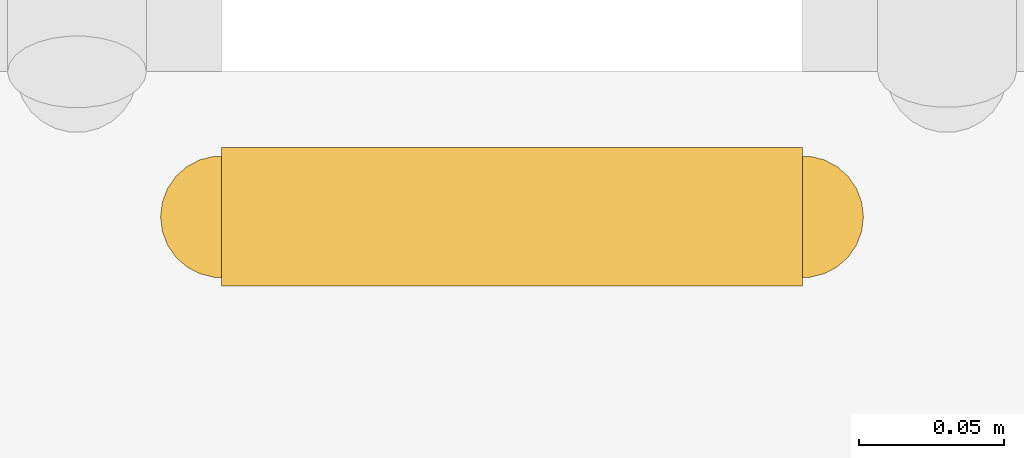
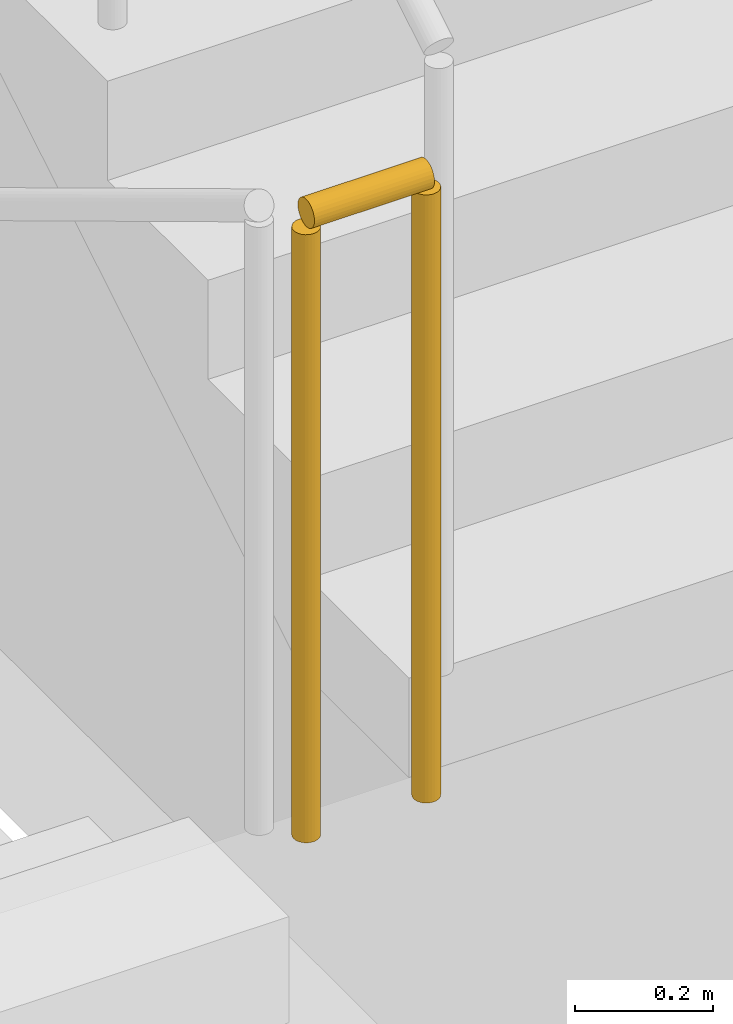
# One storey, part 77 of 85: 1 railing.
"""IFC4 building model written with IfcOpenShell, lengths in metres."""

from ifc_helpers import new_model, si_unit, derived_unit, direction, frame, origin, origin_2d, place, context, subcontext, project, spatial, circle, extrude, material, type_object, element, save


model = new_model("IFC4")

# Units and contexts
model_context = context("Model", 3, precision=1e-05, world=origin(), true_north=direction((0.0, 1.0)))
body_context = subcontext(model_context, "Body", "Model", "MODEL_VIEW")
ifc_project = project(units=[si_unit("LENGTHUNIT", "METRE"), si_unit("AREAUNIT", "SQUARE_METRE"), si_unit("VOLUMEUNIT", "CUBIC_METRE"), si_unit("PLANEANGLEUNIT", "RADIAN"), si_unit("MASSUNIT", "GRAM", prefix="KILO"), derived_unit("THERMALTRANSMITTANCEUNIT", [(si_unit("MASSUNIT", "GRAM", prefix="KILO"), 1), (si_unit("TIMEUNIT", "SECOND"), -3), (si_unit("THERMODYNAMICTEMPERATUREUNIT", "KELVIN"), -1)])], contexts=[model_context])

# Site, building, storey
site_placement = place(None, origin())
site = spatial("IfcSite", under=ifc_project, at=site_placement, CompositionType="ELEMENT")
building_placement = place(site_placement, origin())
building = spatial("IfcBuilding", under=site, at=building_placement, Name="Ochrekiln Boulevard Commons", CompositionType="ELEMENT")
storey_placement = place(building_placement, origin())
storey = spatial("IfcBuildingStorey", under=building, at=storey_placement, Name="L00", CompositionType="ELEMENT", Elevation=0.0)

# Railing
ifc_material = material(Name="Brushed stainless steel 316 tubular railing", Category="steel")
railing_type = type_object("IfcRailingType", Name="RLG-STR-1120", PredefinedType="BALUSTRADE", material=ifc_material)
railing_placement = place(storey_placement, frame((157.89990234375, 44.7099609375, 2.449951171875)))
element("IfcRailing", 1, at=railing_placement, inside=storey, type_object=railing_type, Name="L00 ST-C2 stair guard 2", PredefinedType="BALUSTRADE", context=body_context, shape_type="SweptSolid", body=[
    extrude(circle(Radius=0.02392578125, at=origin_2d()), frame((0.0, 0.0, 1.09619140625), z_axis=(1.0, 0.0, 0.0), x_axis=(0.0, 1.0, 0.0)), (0.0, 0.0, 1.0), 0.2001953125),
    extrude(circle(Radius=0.02099609375, at=origin_2d()), origin(), (0.0, 0.0, 1.0), 1.072021484375),
    extrude(circle(Radius=0.02099609375, at=origin_2d()), frame((0.2001953125, 0.0, 0.0)), (0.0, 0.0, 1.0), 1.072021484375),
])

save(model, "model.ifc")
